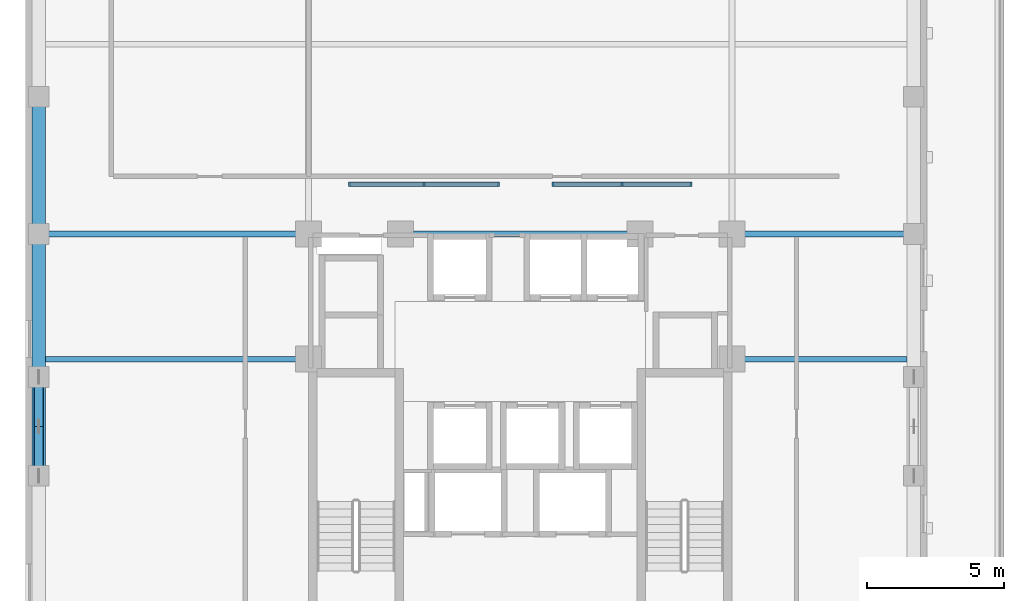
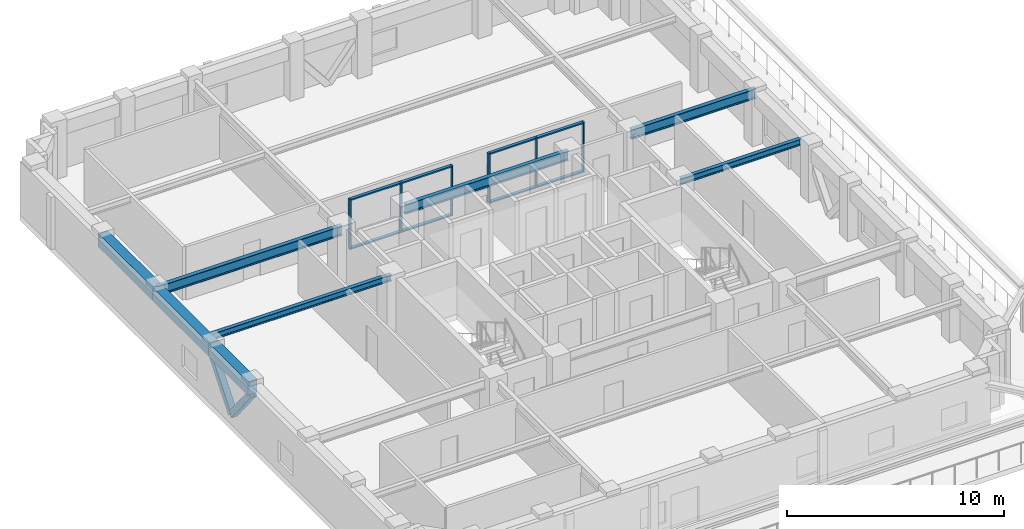
# One storey, part 6 of 15: 16 members, 8 beams, 2 elements without a shape of their own.
"""IFC4 building model written with IfcOpenShell, lengths in metres."""

from ifc_helpers import new_model, si_unit, derived_unit, direction, frame, origin, origin_2d, place, context, subcontext, project, spatial, rectangle, hollow_rectangle, i_section, extrude, material, material_profile, profile_set, type_object, element, aggregate, save


model = new_model("IFC4")

# Units and contexts
model_context = context("Model", 3, precision=1e-05, world=origin(), true_north=direction((0.0, 1.0)))
body_context = subcontext(model_context, "Body", "Model", "MODEL_VIEW")
ifc_project = project(units=[si_unit("LENGTHUNIT", "METRE"), si_unit("AREAUNIT", "SQUARE_METRE"), si_unit("VOLUMEUNIT", "CUBIC_METRE"), si_unit("PLANEANGLEUNIT", "RADIAN"), si_unit("MASSUNIT", "GRAM", prefix="KILO"), derived_unit("THERMALTRANSMITTANCEUNIT", [(si_unit("MASSUNIT", "GRAM", prefix="KILO"), 1), (si_unit("TIMEUNIT", "SECOND"), -3), (si_unit("THERMODYNAMICTEMPERATUREUNIT", "KELVIN"), -1)])], contexts=[model_context])

# Site, building, storey
site_placement = place(None, origin())
site = spatial("IfcSite", under=ifc_project, at=site_placement, CompositionType="ELEMENT")
building_placement = place(site_placement, origin())
building = spatial("IfcBuilding", under=site, at=building_placement, Name="Korrvale Station Residences", CompositionType="ELEMENT")
storey_placement = place(building_placement, frame((0.0, 0.0, 124.39990234375)))
storey = spatial("IfcBuildingStorey", under=building, at=storey_placement, Name="L35", CompositionType="ELEMENT", Elevation=124.39990234375)

# Beams
ifc_material_1 = material(Name="Steel S355", Category="steel")
ifc_material_profile_1 = material_profile(ifc_material_1, i_section(OverallWidth=0.214111328125, OverallDepth=0.549072265625, WebThickness=0.0146484375, FlangeThickness=0.023681640625, FilletRadius=0.01806640625, at=origin_2d()), Name="W530x138")
ifc_profile_set_1 = profile_set([ifc_material_profile_1], Name="Steel S355")
beam_type_1 = type_object("IfcBeamType", Name="BM-BM-W530x138-S355", PredefinedType="BEAM", material=ifc_profile_set_1)
beam_1_placement = place(storey_placement, frame((7.97998046875, 29.0, 2.715576171875), z_axis=(1.0, 0.0, 0.0), x_axis=(0.0, 1.0, 0.0)))
element("IfcBeam", 1, at=beam_1_placement, inside=storey, type_object=beam_type_1, Name="L35 Bundled-Tube Web Girder 07", PredefinedType="BEAM", context=body_context, shape_type="SweptSolid", body=[
    extrude(i_section(OverallWidth=0.214111328125, OverallDepth=0.549072265625, WebThickness=0.0146484375, FlangeThickness=0.023681640625, FilletRadius=0.01806640625, at=origin_2d()), origin(), (0.0, 0.0, 1.0), 9.820068359375),
])
beam_2_placement = place(storey_placement, frame((33.199951171875, 29.0, 2.715576171875), z_axis=(1.0, 0.0, 0.0), x_axis=(0.0, 1.0, 0.0)))
element("IfcBeam", 2, at=beam_2_placement, inside=storey, type_object=beam_type_1, Name="L35 Bundled-Tube Web Girder 08", PredefinedType="BEAM", context=body_context, shape_type="SweptSolid", body=[
    extrude(i_section(OverallWidth=0.214111328125, OverallDepth=0.549072265625, WebThickness=0.0146484375, FlangeThickness=0.023681640625, FilletRadius=0.01806640625, at=origin_2d()), origin(), (0.0, 0.0, 1.0), 6.6201171875),
])
beam_3_placement = place(storey_placement, frame((21.14990234375, 29.0, 2.715576171875), z_axis=(1.0, 0.0, 0.0), x_axis=(0.0, 1.0, 0.0)))
element("IfcBeam", 3, at=beam_3_placement, inside=storey, type_object=beam_type_1, Name="L35 Bundled-Tube Web Girder 10", PredefinedType="BEAM", context=body_context, shape_type="SweptSolid", body=[
    extrude(i_section(OverallWidth=0.214111328125, OverallDepth=0.549072265625, WebThickness=0.0146484375, FlangeThickness=0.023681640625, FilletRadius=0.01806640625, at=origin_2d()), origin(), (0.0, 0.0, 1.0), 8.7001953125),
])
ifc_material_profile_2 = material_profile(ifc_material_1, i_section(OverallWidth=0.205078125, OverallDepth=0.35400390625, WebThickness=0.009521484375, FlangeThickness=0.016845703125, FilletRadius=0.014892578125, at=origin_2d()), Name="W360x79")
ifc_profile_set_2 = profile_set([ifc_material_profile_2], Name="Steel S355")
beam_type_2 = type_object("IfcBeamType", Name="BM-JST-W360x79-S355", PredefinedType="JOIST", material=ifc_profile_set_2)
beam_4_placement = place(storey_placement, frame((33.199951171875, 24.449951171875, 2.81298828125), z_axis=(1.0, 0.0, 0.0), x_axis=(0.0, 1.0, 0.0)))
element("IfcBeam", 4, at=beam_4_placement, inside=storey, type_object=beam_type_2, Name="L35 Floor Framing Joist 07", PredefinedType="JOIST", context=body_context, shape_type="SweptSolid", body=[
    extrude(i_section(OverallWidth=0.205078125, OverallDepth=0.35400390625, WebThickness=0.009521484375, FlangeThickness=0.016845703125, FilletRadius=0.014892578125, at=origin_2d()), origin(), (0.0, 0.0, 1.0), 6.3701171875),
])
beam_5_placement = place(storey_placement, frame((8.22998046875, 24.449951171875, 2.81298828125), z_axis=(1.0, 0.0, 0.0), x_axis=(0.0, 1.0, 0.0)))
element("IfcBeam", 5, at=beam_5_placement, inside=storey, type_object=beam_type_2, Name="L35 Floor Framing Joist 08", PredefinedType="JOIST", context=body_context, shape_type="SweptSolid", body=[
    extrude(i_section(OverallWidth=0.205078125, OverallDepth=0.35400390625, WebThickness=0.009521484375, FlangeThickness=0.016845703125, FilletRadius=0.014892578125, at=origin_2d()), origin(), (0.0, 0.0, 1.0), 9.570068359375),
])
ifc_material_2 = material(Name="Concrete C60/75", Category="concrete")
ifc_material_profile_3 = material_profile(ifc_material_2, rectangle(XDim=0.5, YDim=0.75, at=origin_2d()), Name="RCB500x750")
ifc_profile_set_3 = profile_set([ifc_material_profile_3], Name="Concrete C60/75")
beam_type_3 = type_object("IfcBeamType", Name="BM-SPB-RCB500x750-C6075", PredefinedType="SPANDREL", material=ifc_profile_set_3)
beam_6_placement = place(storey_placement, frame((7.97998046875, 20.199951171875, 2.614990234375), z_axis=(0.0, 1.0, 0.0), x_axis=(-1.0, 0.0, 0.0)))
element("IfcBeam", 6, at=beam_6_placement, inside=storey, type_object=beam_type_3, Name="L35 West Tube Spandrel 16", PredefinedType="SPANDREL", context=body_context, shape_type="SweptSolid", body=[
    extrude(rectangle(XDim=0.5, YDim=0.75, at=origin_2d()), origin(), (0.0, 0.0, 1.0), 3.60009765625),
])
beam_7_placement = place(storey_placement, frame((7.97998046875, 23.800048828125, 2.614990234375), z_axis=(0.0, 1.0, 0.0), x_axis=(-1.0, 0.0, 0.0)))
element("IfcBeam", 7, at=beam_7_placement, inside=storey, type_object=beam_type_3, Name="L35 West Tube Spandrel 17", PredefinedType="SPANDREL", context=body_context, shape_type="SweptSolid", body=[
    extrude(rectangle(XDim=0.5, YDim=0.75, at=origin_2d()), origin(), (0.0, 0.0, 1.0), 5.199951171875),
])
beam_8_placement = place(storey_placement, frame((7.97998046875, 29.0, 2.614990234375), z_axis=(0.0, 1.0, 0.0), x_axis=(-1.0, 0.0, 0.0)))
element("IfcBeam", 8, at=beam_8_placement, inside=storey, type_object=beam_type_3, Name="L35 West Tube Spandrel 18", PredefinedType="SPANDREL", context=body_context, shape_type="SweptSolid", body=[
    extrude(rectangle(XDim=0.5, YDim=0.75, at=origin_2d()), origin(), (0.0, 0.0, 1.0), 5.0),
])

# Curtain wall, members
ifc_material_3 = material(Name="Unitised thermally broken aluminium curtain wall with triple low-e IGU", Category="aluminium")
curtain_wall_type = type_object("IfcCurtainWallType", Name="CW-SKY-L35", PredefinedType="NOTDEFINED", material=ifc_material_3)
curtain_wall_1_placement = place(storey_placement, origin())
curtain_wall_1 = element("IfcCurtainWall", 9, at=curtain_wall_1_placement, inside=storey, type_object=curtain_wall_type, Name="L35 Curtain Wall CW4-RUN-1", PredefinedType="NOTDEFINED")
ifc_material_4 = material(Name="Extruded thermally broken aluminium mullion", Category="aluminium")
member_type_1 = type_object("IfcMemberType", Name="CW-SKY-L35-M", PredefinedType="MULLION", material=ifc_material_4)
member_1_placement = place(storey_placement, frame((19.28759765625, 30.820068359375, 0.0), z_axis=(0.0, 0.0, 1.0), x_axis=(1.0, 0.0, 0.0)))
member_1 = element("IfcMember", 10, at=member_1_placement, type_object=member_type_1, Name="CW-SKY-L35 Mullion 1", PredefinedType="MULLION", context=body_context, shape_type="SweptSolid", body=[
    extrude(rectangle(XDim=0.074951171875, YDim=0.1650390625, at=origin_2d()), origin(), (0.0, 0.0, 1.0), 2.820068359375),
])
member_2_placement = place(storey_placement, frame((22.0, 30.820068359375, 0.0), z_axis=(0.0, 0.0, 1.0), x_axis=(1.0, 0.0, 0.0)))
member_2 = element("IfcMember", 11, at=member_2_placement, type_object=member_type_1, Name="CW-SKY-L35 Mullion 2", PredefinedType="MULLION", context=body_context, shape_type="SweptSolid", body=[
    extrude(rectangle(XDim=0.074951171875, YDim=0.1650390625, at=origin_2d()), origin(), (0.0, 0.0, 1.0), 2.820068359375),
])
member_3_placement = place(storey_placement, frame((24.71240234375, 30.820068359375, 0.0), z_axis=(0.0, 0.0, 1.0), x_axis=(1.0, 0.0, 0.0)))
member_3 = element("IfcMember", 12, at=member_3_placement, type_object=member_type_1, Name="CW-SKY-L35 Mullion 3", PredefinedType="MULLION", context=body_context, shape_type="SweptSolid", body=[
    extrude(rectangle(XDim=0.074951171875, YDim=0.1650390625, at=origin_2d()), origin(), (0.0, 0.0, 1.0), 2.820068359375),
])

curtain_wall_2_placement = place(storey_placement, origin())
curtain_wall_2 = element("IfcCurtainWall", 13, at=curtain_wall_2_placement, inside=storey, type_object=curtain_wall_type, Name="L35 Curtain Wall CW4-RUN-2", PredefinedType="NOTDEFINED")
member_4_placement = place(storey_placement, frame((26.6875, 30.820068359375, 0.0), z_axis=(0.0, 0.0, 1.0), x_axis=(1.0, 0.0, 0.0)))
member_4 = element("IfcMember", 14, at=member_4_placement, type_object=member_type_1, Name="CW-SKY-L35 Mullion 1", PredefinedType="MULLION", context=body_context, shape_type="SweptSolid", body=[
    extrude(rectangle(XDim=0.074951171875, YDim=0.1650390625, at=origin_2d()), origin(), (0.0, 0.0, 1.0), 2.820068359375),
])
member_5_placement = place(storey_placement, frame((29.199951171875, 30.820068359375, 0.0), z_axis=(0.0, 0.0, 1.0), x_axis=(1.0, 0.0, 0.0)))
member_5 = element("IfcMember", 15, at=member_5_placement, type_object=member_type_1, Name="CW-SKY-L35 Mullion 2", PredefinedType="MULLION", context=body_context, shape_type="SweptSolid", body=[
    extrude(rectangle(XDim=0.074951171875, YDim=0.1650390625, at=origin_2d()), origin(), (0.0, 0.0, 1.0), 2.820068359375),
])
member_6_placement = place(storey_placement, frame((31.71240234375, 30.820068359375, 0.0), z_axis=(0.0, 0.0, 1.0), x_axis=(1.0, 0.0, 0.0)))
member_6 = element("IfcMember", 16, at=member_6_placement, type_object=member_type_1, Name="CW-SKY-L35 Mullion 3", PredefinedType="MULLION", context=body_context, shape_type="SweptSolid", body=[
    extrude(rectangle(XDim=0.074951171875, YDim=0.1650390625, at=origin_2d()), origin(), (0.0, 0.0, 1.0), 2.820068359375),
])

# Member
ifc_material_5 = material(Name="Extruded thermally broken aluminium transom", Category="aluminium")
member_type_2 = type_object("IfcMemberType", Name="CW-SKY-L35-T", PredefinedType="USERDEFINED", material=ifc_material_5)
member_7_placement = place(storey_placement, frame((20.625, 30.820068359375, 0.0), z_axis=(0.0, 0.0, 1.0), x_axis=(1.0, 0.0, 0.0)))
member_7 = element("IfcMember", 17, at=member_7_placement, type_object=member_type_2, Name="CW-SKY-L35 Transom 1-1", ObjectType="TRANSOM", PredefinedType="USERDEFINED", context=body_context, shape_type="SweptSolid", body=[
    extrude(rectangle(XDim=2.675048828125, YDim=0.1650390625, at=origin_2d()), origin(), (0.0, 0.0, 1.0), 0.074951171875),
])

member_8_placement = place(storey_placement, frame((20.625, 30.820068359375, 2.7451171875), z_axis=(0.0, 0.0, 1.0), x_axis=(1.0, 0.0, 0.0)))
member_8 = element("IfcMember", 18, at=member_8_placement, type_object=member_type_2, Name="CW-SKY-L35 Transom 1-2", ObjectType="TRANSOM", PredefinedType="USERDEFINED", context=body_context, shape_type="SweptSolid", body=[
    extrude(rectangle(XDim=2.675048828125, YDim=0.1650390625, at=origin_2d()), origin(), (0.0, 0.0, 1.0), 0.074951171875),
])

member_9_placement = place(storey_placement, frame((23.375, 30.820068359375, 0.0), z_axis=(0.0, 0.0, 1.0), x_axis=(1.0, 0.0, 0.0)))
member_9 = element("IfcMember", 19, at=member_9_placement, type_object=member_type_2, Name="CW-SKY-L35 Transom 2-1", ObjectType="TRANSOM", PredefinedType="USERDEFINED", context=body_context, shape_type="SweptSolid", body=[
    extrude(rectangle(XDim=2.675048828125, YDim=0.1650390625, at=origin_2d()), origin(), (0.0, 0.0, 1.0), 0.074951171875),
])

member_10_placement = place(storey_placement, frame((23.375, 30.820068359375, 2.7451171875), z_axis=(0.0, 0.0, 1.0), x_axis=(1.0, 0.0, 0.0)))
member_10 = element("IfcMember", 20, at=member_10_placement, type_object=member_type_2, Name="CW-SKY-L35 Transom 2-2", ObjectType="TRANSOM", PredefinedType="USERDEFINED", context=body_context, shape_type="SweptSolid", body=[
    extrude(rectangle(XDim=2.675048828125, YDim=0.1650390625, at=origin_2d()), origin(), (0.0, 0.0, 1.0), 0.074951171875),
])

aggregate(curtain_wall_1, [member_1, member_2, member_3, member_7, member_8, member_9, member_10])

member_11_placement = place(storey_placement, frame((27.925048828125, 30.820068359375, 0.0), z_axis=(0.0, 0.0, 1.0), x_axis=(1.0, 0.0, 0.0)))
member_11 = element("IfcMember", 21, at=member_11_placement, type_object=member_type_2, Name="CW-SKY-L35 Transom 1-1", ObjectType="TRANSOM", PredefinedType="USERDEFINED", context=body_context, shape_type="SweptSolid", body=[
    extrude(rectangle(XDim=2.47509765625, YDim=0.1650390625, at=origin_2d()), origin(), (0.0, 0.0, 1.0), 0.074951171875),
])

member_12_placement = place(storey_placement, frame((27.925048828125, 30.820068359375, 2.7451171875), z_axis=(0.0, 0.0, 1.0), x_axis=(1.0, 0.0, 0.0)))
member_12 = element("IfcMember", 22, at=member_12_placement, type_object=member_type_2, Name="CW-SKY-L35 Transom 1-2", ObjectType="TRANSOM", PredefinedType="USERDEFINED", context=body_context, shape_type="SweptSolid", body=[
    extrude(rectangle(XDim=2.47509765625, YDim=0.1650390625, at=origin_2d()), origin(), (0.0, 0.0, 1.0), 0.074951171875),
])

member_13_placement = place(storey_placement, frame((30.47509765625, 30.820068359375, 0.0), z_axis=(0.0, 0.0, 1.0), x_axis=(1.0, 0.0, 0.0)))
member_13 = element("IfcMember", 23, at=member_13_placement, type_object=member_type_2, Name="CW-SKY-L35 Transom 2-1", ObjectType="TRANSOM", PredefinedType="USERDEFINED", context=body_context, shape_type="SweptSolid", body=[
    extrude(rectangle(XDim=2.47509765625, YDim=0.1650390625, at=origin_2d()), origin(), (0.0, 0.0, 1.0), 0.074951171875),
])

member_14_placement = place(storey_placement, frame((30.47509765625, 30.820068359375, 2.7451171875), z_axis=(0.0, 0.0, 1.0), x_axis=(1.0, 0.0, 0.0)))
member_14 = element("IfcMember", 24, at=member_14_placement, type_object=member_type_2, Name="CW-SKY-L35 Transom 2-2", ObjectType="TRANSOM", PredefinedType="USERDEFINED", context=body_context, shape_type="SweptSolid", body=[
    extrude(rectangle(XDim=2.47509765625, YDim=0.1650390625, at=origin_2d()), origin(), (0.0, 0.0, 1.0), 0.074951171875),
])

aggregate(curtain_wall_2, [member_4, member_5, member_6, member_11, member_12, member_13, member_14])

# Members
ifc_material_profile_4 = material_profile(ifc_material_1, hollow_rectangle(XDim=0.355712890625, YDim=0.355712890625, WallThickness=0.015869140625, InnerFilletRadius=0.015869140625, OuterFilletRadius=0.03173828125, at=origin_2d()), Name="HSS356x356x16")
ifc_profile_set_4 = profile_set([ifc_material_profile_4], Name="Steel S355")
member_type_3 = type_object("IfcMemberType", Name="MBR-BR-HSS356x356x16", PredefinedType="BRACE", material=ifc_profile_set_4)
for number, where, z_axis, x_axis, name in (
    (25, (7.97998046875, 22.0, 0.02001953125), (0.0, -0.62640309239, 0.779499304582), (1.0, 0.0, 0.0), "L35 W Perimeter Tube Wind Brace 1"),
    (26, (7.97998046875, 22.0, 0.02001953125), (0.0, 0.62640309239, 0.779499304582), (-1.0, 0.0, 0.0), "L35 W Perimeter Tube Wind Brace 2"),
):
    element("IfcMember", number, at=place(storey_placement, frame(where, z_axis=z_axis, x_axis=x_axis)), inside=storey, type_object=member_type_3, Name=name, PredefinedType="BRACE", context=body_context, shape_type="SweptSolid", body=[
        extrude(hollow_rectangle(XDim=0.355712890625, YDim=0.355712890625, WallThickness=0.015869140625, InnerFilletRadius=0.015869140625, OuterFilletRadius=0.03173828125, at=origin_2d()), origin(), (0.0, 0.0, 1.0), 2.87353515625),
    ])

save(model, "model.ifc")
